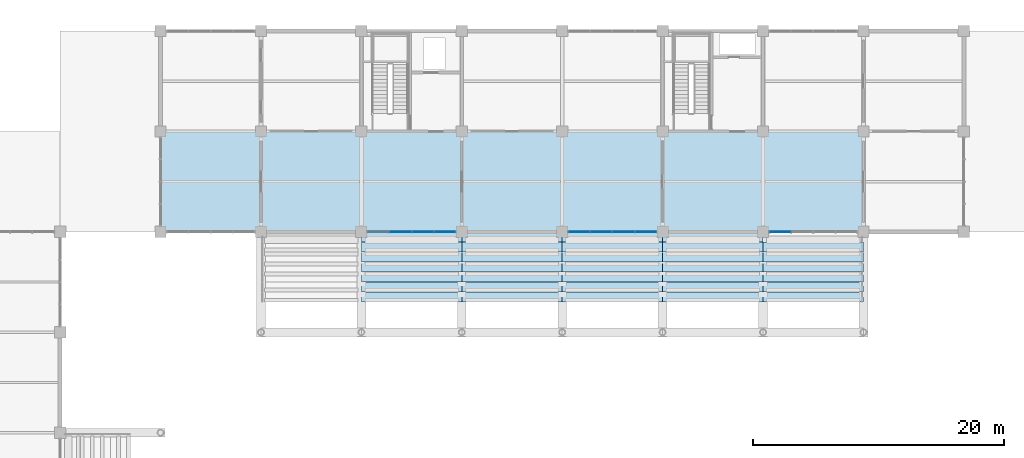
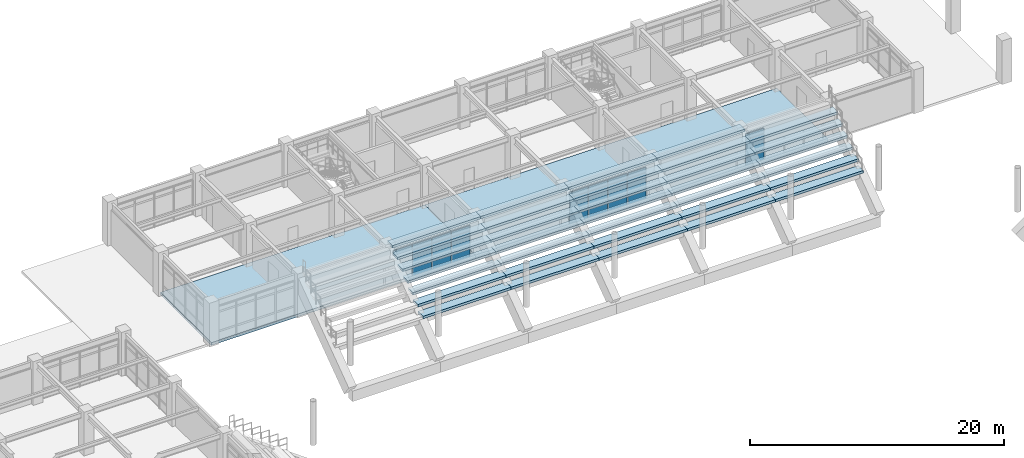
# One storey, part 81 of 118: 36 slabs, 25 plates, 3 elements without a shape of their own.
"""IFC4 building model written with IfcOpenShell, lengths in metres."""

from ifc_helpers import new_model, si_unit, direction, frame, origin, origin_2d, place, context, subcontext, project, spatial, polyline, rectangle, outline, extrude, material, layer, layer_set, type_object, element, aggregate, save


model = new_model("IFC4")

# Units and contexts
model_context = context("Model", 3, precision=1e-05, world=origin(), true_north=direction((0.0, 1.0)))
body_context = subcontext(model_context, "Body", "Model", "MODEL_VIEW")
ifc_project = project(units=[si_unit("LENGTHUNIT", "METRE"), si_unit("AREAUNIT", "SQUARE_METRE"), si_unit("VOLUMEUNIT", "CUBIC_METRE"), si_unit("PLANEANGLEUNIT", "RADIAN"), si_unit("MASSUNIT", "GRAM", prefix="KILO")], contexts=[model_context])

# Site, building, storey
site_placement = place(None, origin())
site = spatial("IfcSite", under=ifc_project, at=site_placement, CompositionType="ELEMENT")
building_placement = place(site_placement, origin())
building = spatial("IfcBuilding", under=site, at=building_placement, Name="Haebicheon Civic Stadium", CompositionType="ELEMENT")
storey_placement = place(building_placement, frame((0.0, 0.0, 14.39990234375)))
storey = spatial("IfcBuildingStorey", under=building, at=storey_placement, Name="L04", CompositionType="ELEMENT", Elevation=14.39990234375)

# Curtain wall, plates
ifc_material_1 = material(Name="Anodised aluminium and laminated glass", Category="aluminium")
ifc_layer_1 = layer(ifc_material_1, 0.179931640625, Name="Anodised aluminium and laminated glass")
ifc_layer_set_1 = layer_set([ifc_layer_1], Name="Anodised aluminium and laminated glass")
curtain_wall_type = type_object("IfcCurtainWallType", Name="CW-7100x3100", PredefinedType="NOTDEFINED", material=ifc_layer_set_1)
curtain_wall_1_placement = place(storey_placement, origin())
curtain_wall_1 = element("IfcCurtainWall", 1, at=curtain_wall_1_placement, inside=storey, type_object=curtain_wall_type, material=ifc_layer_set_1, Name="L04 unitised curtain wall 131", PredefinedType="NOTDEFINED")
ifc_material_2 = material(Name="Double low-e acoustic laminated glass", Category="glass")
ifc_layer_2 = layer(ifc_material_2, 0.035888671875, Name="Double low-e acoustic laminated glass")
ifc_layer_set_2 = layer_set([ifc_layer_2], Name="Double low-e acoustic laminated glass")
plate_type_1 = type_object("IfcPlateType", Name="CWP-GLZ-36", PredefinedType="CURTAIN_PANEL", material=ifc_layer_set_2)
plate_1_placement = place(storey_placement, frame((91.112060546875, 152.0, 0.93505859375), z_axis=(0.0, 0.0, 1.0), x_axis=(1.0, 0.0, 0.0)))
plate_1 = element("IfcPlate", 2, at=plate_1_placement, type_object=plate_type_1, material=ifc_layer_set_2, Name="CW-L04-131 vision panel 2.2", PredefinedType="CURTAIN_PANEL", context=body_context, shape_type="SweptSolid", body=[
    extrude(rectangle(XDim=1.705078125, YDim=0.035888671875, at=origin_2d()), origin(), (0.0, 0.0, 1.0), 1.580078125),
])
plate_2_placement = place(storey_placement, frame((92.887939453125, 152.0, 0.93505859375), z_axis=(0.0, 0.0, 1.0), x_axis=(1.0, 0.0, 0.0)))
plate_2 = element("IfcPlate", 3, at=plate_2_placement, type_object=plate_type_1, material=ifc_layer_set_2, Name="CW-L04-131 vision panel 3.2", PredefinedType="CURTAIN_PANEL", context=body_context, shape_type="SweptSolid", body=[
    extrude(rectangle(XDim=1.705078125, YDim=0.035888671875, at=origin_2d()), origin(), (0.0, 0.0, 1.0), 1.580078125),
])
plate_3_placement = place(storey_placement, frame((94.64501953125, 152.0, 0.93505859375), z_axis=(0.0, 0.0, 1.0), x_axis=(1.0, 0.0, 0.0)))
plate_3 = element("IfcPlate", 4, at=plate_3_placement, type_object=plate_type_1, material=ifc_layer_set_2, Name="CW-L04-131 vision panel 4.2", PredefinedType="CURTAIN_PANEL", context=body_context, shape_type="SweptSolid", body=[
    extrude(rectangle(XDim=1.669921875, YDim=0.035888671875, at=origin_2d()), origin(), (0.0, 0.0, 1.0), 1.580078125),
])

curtain_wall_2_placement = place(storey_placement, origin())
curtain_wall_2 = element("IfcCurtainWall", 5, at=curtain_wall_2_placement, inside=storey, type_object=curtain_wall_type, material=ifc_layer_set_1, Name="L04 unitised curtain wall 134", PredefinedType="NOTDEFINED")
plate_4_placement = place(storey_placement, frame((105.35498046875, 152.0, 0.93505859375), z_axis=(0.0, 0.0, 1.0), x_axis=(1.0, 0.0, 0.0)))
plate_4 = element("IfcPlate", 6, at=plate_4_placement, type_object=plate_type_1, material=ifc_layer_set_2, Name="CW-L04-134 vision panel 1.2", PredefinedType="CURTAIN_PANEL", context=body_context, shape_type="SweptSolid", body=[
    extrude(rectangle(XDim=1.669921875, YDim=0.035888671875, at=origin_2d()), origin(), (0.0, 0.0, 1.0), 1.580078125),
])
plate_5_placement = place(storey_placement, frame((107.112060546875, 152.0, 0.93505859375), z_axis=(0.0, 0.0, 1.0), x_axis=(1.0, 0.0, 0.0)))
plate_5 = element("IfcPlate", 7, at=plate_5_placement, type_object=plate_type_1, material=ifc_layer_set_2, Name="CW-L04-134 vision panel 2.2", PredefinedType="CURTAIN_PANEL", context=body_context, shape_type="SweptSolid", body=[
    extrude(rectangle(XDim=1.705078125, YDim=0.035888671875, at=origin_2d()), origin(), (0.0, 0.0, 1.0), 1.580078125),
])
plate_6_placement = place(storey_placement, frame((108.887939453125, 152.0, 0.93505859375), z_axis=(0.0, 0.0, 1.0), x_axis=(1.0, 0.0, 0.0)))
plate_6 = element("IfcPlate", 8, at=plate_6_placement, type_object=plate_type_1, material=ifc_layer_set_2, Name="CW-L04-134 vision panel 3.2", PredefinedType="CURTAIN_PANEL", context=body_context, shape_type="SweptSolid", body=[
    extrude(rectangle(XDim=1.705078125, YDim=0.035888671875, at=origin_2d()), origin(), (0.0, 0.0, 1.0), 1.580078125),
])
plate_7_placement = place(storey_placement, frame((110.64501953125, 152.0, 0.93505859375), z_axis=(0.0, 0.0, 1.0), x_axis=(1.0, 0.0, 0.0)))
plate_7 = element("IfcPlate", 9, at=plate_7_placement, type_object=plate_type_1, material=ifc_layer_set_2, Name="CW-L04-134 vision panel 4.2", PredefinedType="CURTAIN_PANEL", context=body_context, shape_type="SweptSolid", body=[
    extrude(rectangle(XDim=1.669921875, YDim=0.035888671875, at=origin_2d()), origin(), (0.0, 0.0, 1.0), 1.580078125),
])

# Curtain wall, plate
curtain_wall_3_placement = place(storey_placement, origin())
curtain_wall_3 = element("IfcCurtainWall", 10, at=curtain_wall_3_placement, inside=storey, type_object=curtain_wall_type, material=ifc_layer_set_1, Name="L04 unitised curtain wall 137", PredefinedType="NOTDEFINED")
plate_8_placement = place(storey_placement, frame((121.35498046875, 152.0, 0.93505859375), z_axis=(0.0, 0.0, 1.0), x_axis=(1.0, 0.0, 0.0)))
plate_8 = element("IfcPlate", 11, at=plate_8_placement, type_object=plate_type_1, material=ifc_layer_set_2, Name="CW-L04-137 vision panel 1.2", PredefinedType="CURTAIN_PANEL", context=body_context, shape_type="SweptSolid", body=[
    extrude(rectangle(XDim=1.669921875, YDim=0.035888671875, at=origin_2d()), origin(), (0.0, 0.0, 1.0), 1.580078125),
])

# Plate
ifc_material_3 = material(Name="Anodised aluminium 6063-T6", Category="aluminium")
ifc_layer_3 = layer(ifc_material_3, 0.053955078125, Name="Anodised aluminium 6063-T6")
ifc_layer_set_3 = layer_set([ifc_layer_3], Name="Anodised aluminium 6063-T6")
plate_type_2 = type_object("IfcPlateType", Name="CWP-SPD-54", PredefinedType="CURTAIN_PANEL", material=ifc_layer_set_3)
plate_9_placement = place(storey_placement, frame((89.35498046875, 152.0, 2.585205078125), z_axis=(0.0, 0.0, 1.0), x_axis=(1.0, 0.0, 0.0)))
plate_9 = element("IfcPlate", 12, at=plate_9_placement, type_object=plate_type_2, material=ifc_layer_set_3, Name="CW-L04-131 spandrel panel 1.3", PredefinedType="CURTAIN_PANEL", context=body_context, shape_type="SweptSolid", body=[
    extrude(rectangle(XDim=1.669921875, YDim=0.053955078125, at=origin_2d()), origin(), (0.0, 0.0, 1.0), 0.47998046875),
])

plate_10_placement = place(storey_placement, frame((91.112060546875, 152.0, 0.03515625), z_axis=(0.0, 0.0, 1.0), x_axis=(1.0, 0.0, 0.0)))
plate_10 = element("IfcPlate", 13, at=plate_10_placement, type_object=plate_type_2, material=ifc_layer_set_3, Name="CW-L04-131 spandrel panel 2.1", PredefinedType="CURTAIN_PANEL", context=body_context, shape_type="SweptSolid", body=[
    extrude(rectangle(XDim=1.705078125, YDim=0.053955078125, at=origin_2d()), origin(), (0.0, 0.0, 1.0), 0.830078125),
])

plate_11_placement = place(storey_placement, frame((91.112060546875, 152.0, 2.585205078125), z_axis=(0.0, 0.0, 1.0), x_axis=(1.0, 0.0, 0.0)))
plate_11 = element("IfcPlate", 14, at=plate_11_placement, type_object=plate_type_2, material=ifc_layer_set_3, Name="CW-L04-131 spandrel panel 2.3", PredefinedType="CURTAIN_PANEL", context=body_context, shape_type="SweptSolid", body=[
    extrude(rectangle(XDim=1.705078125, YDim=0.053955078125, at=origin_2d()), origin(), (0.0, 0.0, 1.0), 0.47998046875),
])

plate_12_placement = place(storey_placement, frame((92.887939453125, 152.0, 0.03515625), z_axis=(0.0, 0.0, 1.0), x_axis=(1.0, 0.0, 0.0)))
plate_12 = element("IfcPlate", 15, at=plate_12_placement, type_object=plate_type_2, material=ifc_layer_set_3, Name="CW-L04-131 spandrel panel 3.1", PredefinedType="CURTAIN_PANEL", context=body_context, shape_type="SweptSolid", body=[
    extrude(rectangle(XDim=1.705078125, YDim=0.053955078125, at=origin_2d()), origin(), (0.0, 0.0, 1.0), 0.830078125),
])

plate_13_placement = place(storey_placement, frame((92.887939453125, 152.0, 2.585205078125), z_axis=(0.0, 0.0, 1.0), x_axis=(1.0, 0.0, 0.0)))
plate_13 = element("IfcPlate", 16, at=plate_13_placement, type_object=plate_type_2, material=ifc_layer_set_3, Name="CW-L04-131 spandrel panel 3.3", PredefinedType="CURTAIN_PANEL", context=body_context, shape_type="SweptSolid", body=[
    extrude(rectangle(XDim=1.705078125, YDim=0.053955078125, at=origin_2d()), origin(), (0.0, 0.0, 1.0), 0.47998046875),
])

plate_14_placement = place(storey_placement, frame((94.64501953125, 152.0, 0.03515625), z_axis=(0.0, 0.0, 1.0), x_axis=(1.0, 0.0, 0.0)))
plate_14 = element("IfcPlate", 17, at=plate_14_placement, type_object=plate_type_2, material=ifc_layer_set_3, Name="CW-L04-131 spandrel panel 4.1", PredefinedType="CURTAIN_PANEL", context=body_context, shape_type="SweptSolid", body=[
    extrude(rectangle(XDim=1.669921875, YDim=0.053955078125, at=origin_2d()), origin(), (0.0, 0.0, 1.0), 0.830078125),
])

plate_15_placement = place(storey_placement, frame((94.64501953125, 152.0, 2.585205078125), z_axis=(0.0, 0.0, 1.0), x_axis=(1.0, 0.0, 0.0)))
plate_15 = element("IfcPlate", 18, at=plate_15_placement, type_object=plate_type_2, material=ifc_layer_set_3, Name="CW-L04-131 spandrel panel 4.3", PredefinedType="CURTAIN_PANEL", context=body_context, shape_type="SweptSolid", body=[
    extrude(rectangle(XDim=1.669921875, YDim=0.053955078125, at=origin_2d()), origin(), (0.0, 0.0, 1.0), 0.47998046875),
])

aggregate(curtain_wall_1, [plate_9, plate_10, plate_1, plate_11, plate_12, plate_2, plate_13, plate_14, plate_3, plate_15])

plate_16_placement = place(storey_placement, frame((105.35498046875, 152.0, 0.03515625), z_axis=(0.0, 0.0, 1.0), x_axis=(1.0, 0.0, 0.0)))
plate_16 = element("IfcPlate", 19, at=plate_16_placement, type_object=plate_type_2, material=ifc_layer_set_3, Name="CW-L04-134 spandrel panel 1.1", PredefinedType="CURTAIN_PANEL", context=body_context, shape_type="SweptSolid", body=[
    extrude(rectangle(XDim=1.669921875, YDim=0.053955078125, at=origin_2d()), origin(), (0.0, 0.0, 1.0), 0.830078125),
])

plate_17_placement = place(storey_placement, frame((105.35498046875, 152.0, 2.585205078125), z_axis=(0.0, 0.0, 1.0), x_axis=(1.0, 0.0, 0.0)))
plate_17 = element("IfcPlate", 20, at=plate_17_placement, type_object=plate_type_2, material=ifc_layer_set_3, Name="CW-L04-134 spandrel panel 1.3", PredefinedType="CURTAIN_PANEL", context=body_context, shape_type="SweptSolid", body=[
    extrude(rectangle(XDim=1.669921875, YDim=0.053955078125, at=origin_2d()), origin(), (0.0, 0.0, 1.0), 0.47998046875),
])

plate_18_placement = place(storey_placement, frame((107.112060546875, 152.0, 0.03515625), z_axis=(0.0, 0.0, 1.0), x_axis=(1.0, 0.0, 0.0)))
plate_18 = element("IfcPlate", 21, at=plate_18_placement, type_object=plate_type_2, material=ifc_layer_set_3, Name="CW-L04-134 spandrel panel 2.1", PredefinedType="CURTAIN_PANEL", context=body_context, shape_type="SweptSolid", body=[
    extrude(rectangle(XDim=1.705078125, YDim=0.053955078125, at=origin_2d()), origin(), (0.0, 0.0, 1.0), 0.830078125),
])

plate_19_placement = place(storey_placement, frame((107.112060546875, 152.0, 2.585205078125), z_axis=(0.0, 0.0, 1.0), x_axis=(1.0, 0.0, 0.0)))
plate_19 = element("IfcPlate", 22, at=plate_19_placement, type_object=plate_type_2, material=ifc_layer_set_3, Name="CW-L04-134 spandrel panel 2.3", PredefinedType="CURTAIN_PANEL", context=body_context, shape_type="SweptSolid", body=[
    extrude(rectangle(XDim=1.705078125, YDim=0.053955078125, at=origin_2d()), origin(), (0.0, 0.0, 1.0), 0.47998046875),
])

plate_20_placement = place(storey_placement, frame((108.887939453125, 152.0, 0.03515625), z_axis=(0.0, 0.0, 1.0), x_axis=(1.0, 0.0, 0.0)))
plate_20 = element("IfcPlate", 23, at=plate_20_placement, type_object=plate_type_2, material=ifc_layer_set_3, Name="CW-L04-134 spandrel panel 3.1", PredefinedType="CURTAIN_PANEL", context=body_context, shape_type="SweptSolid", body=[
    extrude(rectangle(XDim=1.705078125, YDim=0.053955078125, at=origin_2d()), origin(), (0.0, 0.0, 1.0), 0.830078125),
])

plate_21_placement = place(storey_placement, frame((108.887939453125, 152.0, 2.585205078125), z_axis=(0.0, 0.0, 1.0), x_axis=(1.0, 0.0, 0.0)))
plate_21 = element("IfcPlate", 24, at=plate_21_placement, type_object=plate_type_2, material=ifc_layer_set_3, Name="CW-L04-134 spandrel panel 3.3", PredefinedType="CURTAIN_PANEL", context=body_context, shape_type="SweptSolid", body=[
    extrude(rectangle(XDim=1.705078125, YDim=0.053955078125, at=origin_2d()), origin(), (0.0, 0.0, 1.0), 0.47998046875),
])

plate_22_placement = place(storey_placement, frame((110.64501953125, 152.0, 0.03515625), z_axis=(0.0, 0.0, 1.0), x_axis=(1.0, 0.0, 0.0)))
plate_22 = element("IfcPlate", 25, at=plate_22_placement, type_object=plate_type_2, material=ifc_layer_set_3, Name="CW-L04-134 spandrel panel 4.1", PredefinedType="CURTAIN_PANEL", context=body_context, shape_type="SweptSolid", body=[
    extrude(rectangle(XDim=1.669921875, YDim=0.053955078125, at=origin_2d()), origin(), (0.0, 0.0, 1.0), 0.830078125),
])

plate_23_placement = place(storey_placement, frame((110.64501953125, 152.0, 2.585205078125), z_axis=(0.0, 0.0, 1.0), x_axis=(1.0, 0.0, 0.0)))
plate_23 = element("IfcPlate", 26, at=plate_23_placement, type_object=plate_type_2, material=ifc_layer_set_3, Name="CW-L04-134 spandrel panel 4.3", PredefinedType="CURTAIN_PANEL", context=body_context, shape_type="SweptSolid", body=[
    extrude(rectangle(XDim=1.669921875, YDim=0.053955078125, at=origin_2d()), origin(), (0.0, 0.0, 1.0), 0.47998046875),
])

aggregate(curtain_wall_2, [plate_16, plate_4, plate_17, plate_18, plate_5, plate_19, plate_20, plate_6, plate_21, plate_22, plate_7, plate_23])

plate_24_placement = place(storey_placement, frame((121.35498046875, 152.0, 0.03515625), z_axis=(0.0, 0.0, 1.0), x_axis=(1.0, 0.0, 0.0)))
plate_24 = element("IfcPlate", 27, at=plate_24_placement, type_object=plate_type_2, material=ifc_layer_set_3, Name="CW-L04-137 spandrel panel 1.1", PredefinedType="CURTAIN_PANEL", context=body_context, shape_type="SweptSolid", body=[
    extrude(rectangle(XDim=1.669921875, YDim=0.053955078125, at=origin_2d()), origin(), (0.0, 0.0, 1.0), 0.830078125),
])

plate_25_placement = place(storey_placement, frame((121.35498046875, 152.0, 2.585205078125), z_axis=(0.0, 0.0, 1.0), x_axis=(1.0, 0.0, 0.0)))
plate_25 = element("IfcPlate", 28, at=plate_25_placement, type_object=plate_type_2, material=ifc_layer_set_3, Name="CW-L04-137 spandrel panel 1.3", PredefinedType="CURTAIN_PANEL", context=body_context, shape_type="SweptSolid", body=[
    extrude(rectangle(XDim=1.669921875, YDim=0.053955078125, at=origin_2d()), origin(), (0.0, 0.0, 1.0), 0.47998046875),
])

aggregate(curtain_wall_3, [plate_24, plate_8, plate_25])

# Slabs
ifc_material_4 = material(Name="Concrete C40/50", Category="concrete")
ifc_layer_4 = layer(ifc_material_4, 0.260009765625, Name="Concrete C40/50")
ifc_layer_set_4 = layer_set([ifc_layer_4], Name="Concrete C40/50")
slab_type_1 = type_object("IfcSlabType", Name="SLB-FLR-260", PredefinedType="FLOOR", material=ifc_layer_set_4)
slab_1_placement = place(storey_placement, frame((0.0, 0.0, -0.260009765625)))
element("IfcSlab", 29, at=slab_1_placement, inside=storey, type_object=slab_type_1, material=ifc_layer_set_4, Name="L04 V2 structural slab 2.1", PredefinedType="FLOOR", context=body_context, shape_type="SweptSolid", body=[
    extrude(outline(polyline([(72.0, 152.0), (72.0, 160.0), (80.0, 160.0), (88.0, 160.0), (96.0, 160.0), (96.0, 152.0), (88.0, 152.0), (80.0, 152.0), (72.0, 152.0)])), origin(), (0.0, 0.0, 1.0), 0.260009765625),
])
slab_2_placement = place(storey_placement, frame((0.0, 0.0, -0.260009765625)))
element("IfcSlab", 30, at=slab_2_placement, inside=storey, type_object=slab_type_1, material=ifc_layer_set_4, Name="L04 V2 structural slab 5.1", PredefinedType="FLOOR", context=body_context, shape_type="SweptSolid", body=[
    extrude(outline(polyline([(96.0, 160.0), (104.0, 160.0), (112.0, 160.0), (120.0, 160.0), (128.0, 160.0), (128.0, 152.0), (120.0, 152.0), (112.0, 152.0), (104.0, 152.0), (96.0, 152.0), (96.0, 160.0)])), origin(), (0.0, 0.0, 1.0), 0.260009765625),
])
ifc_material_5 = material(Name="Precast concrete C40/50", Category="concrete")
ifc_layer_5 = layer(ifc_material_5, 0.239990234375, Name="Precast concrete C40/50")
ifc_layer_set_5 = layer_set([ifc_layer_5], Name="Precast concrete C40/50")
slab_type_2 = type_object("IfcSlabType", Name="SLB-TIER-240", PredefinedType="USERDEFINED", material=ifc_layer_set_5)
slab_3_placement = place(storey_placement, frame((0.0, 0.0, 0.093017578125)))
element("IfcSlab", 31, at=slab_3_placement, inside=storey, type_object=slab_type_2, material=ifc_layer_set_5, Name="TIER-N-U precast seating tier bay 2 row-band 4", ObjectType="SEATING TIER", PredefinedType="USERDEFINED", context=body_context, shape_type="SweptSolid", body=[
    extrude(outline(polyline([(88.0, 146.39990234375), (96.0, 146.39990234375), (96.0, 147.199951171875), (88.0, 147.199951171875), (88.0, 146.39990234375)])), origin(), (0.0, 0.0, 1.0), 0.239990234375),
])
slab_4_placement = place(storey_placement, frame((0.0, 0.0, 0.738037109375)))
element("IfcSlab", 32, at=slab_4_placement, inside=storey, type_object=slab_type_2, material=ifc_layer_set_5, Name="TIER-N-U precast seating tier bay 2 row-band 5", ObjectType="SEATING TIER", PredefinedType="USERDEFINED", context=body_context, shape_type="SweptSolid", body=[
    extrude(outline(polyline([(88.0, 147.199951171875), (96.0, 147.199951171875), (96.0, 148.0), (88.0, 148.0), (88.0, 147.199951171875)])), origin(), (0.0, 0.0, 1.0), 0.239990234375),
])
slab_5_placement = place(storey_placement, frame((0.0, 0.0, 1.382080078125)))
element("IfcSlab", 33, at=slab_5_placement, inside=storey, type_object=slab_type_2, material=ifc_layer_set_5, Name="TIER-N-U precast seating tier bay 2 row-band 6", ObjectType="SEATING TIER", PredefinedType="USERDEFINED", context=body_context, shape_type="SweptSolid", body=[
    extrude(outline(polyline([(88.0, 148.0), (96.0, 148.0), (96.0, 148.800048828125), (88.0, 148.800048828125), (88.0, 148.0)])), origin(), (0.0, 0.0, 1.0), 0.239990234375),
])
slab_6_placement = place(storey_placement, frame((0.0, 0.0, 2.027099609375)))
element("IfcSlab", 34, at=slab_6_placement, inside=storey, type_object=slab_type_2, material=ifc_layer_set_5, Name="TIER-N-U precast seating tier bay 2 row-band 7", ObjectType="SEATING TIER", PredefinedType="USERDEFINED", context=body_context, shape_type="SweptSolid", body=[
    extrude(outline(polyline([(88.0, 148.800048828125), (96.0, 148.800048828125), (96.0, 149.60009765625), (88.0, 149.60009765625), (88.0, 148.800048828125)])), origin(), (0.0, 0.0, 1.0), 0.239990234375),
])
slab_7_placement = place(storey_placement, frame((0.0, 0.0, 2.671142578125)))
element("IfcSlab", 35, at=slab_7_placement, inside=storey, type_object=slab_type_2, material=ifc_layer_set_5, Name="TIER-N-U precast seating tier bay 2 row-band 8", ObjectType="SEATING TIER", PredefinedType="USERDEFINED", context=body_context, shape_type="SweptSolid", body=[
    extrude(outline(polyline([(88.0, 149.60009765625), (96.0, 149.60009765625), (96.0, 150.39990234375), (88.0, 150.39990234375), (88.0, 149.60009765625)])), origin(), (0.0, 0.0, 1.0), 0.239990234375),
])
slab_8_placement = place(storey_placement, frame((0.0, 0.0, 3.316162109375)))
element("IfcSlab", 36, at=slab_8_placement, inside=storey, type_object=slab_type_2, material=ifc_layer_set_5, Name="TIER-N-U precast seating tier bay 2 row-band 9", ObjectType="SEATING TIER", PredefinedType="USERDEFINED", context=body_context, shape_type="SweptSolid", body=[
    extrude(outline(polyline([(88.0, 150.39990234375), (96.0, 150.39990234375), (96.0, 151.199951171875), (88.0, 151.199951171875), (88.0, 150.39990234375)])), origin(), (0.0, 0.0, 1.0), 0.239990234375),
])
slab_9_placement = place(storey_placement, frame((0.0, 0.0, 3.960205078125)))
element("IfcSlab", 37, at=slab_9_placement, inside=storey, type_object=slab_type_2, material=ifc_layer_set_5, Name="TIER-N-U precast seating tier bay 2 row-band 10", ObjectType="SEATING TIER", PredefinedType="USERDEFINED", context=body_context, shape_type="SweptSolid", body=[
    extrude(outline(polyline([(88.0, 151.199951171875), (96.0, 151.199951171875), (96.0, 152.0), (88.0, 152.0), (88.0, 151.199951171875)])), origin(), (0.0, 0.0, 1.0), 0.239990234375),
])
slab_10_placement = place(storey_placement, frame((0.0, 0.0, 0.093017578125)))
element("IfcSlab", 38, at=slab_10_placement, inside=storey, type_object=slab_type_2, material=ifc_layer_set_5, Name="TIER-N-U precast seating tier bay 3 row-band 4", ObjectType="SEATING TIER", PredefinedType="USERDEFINED", context=body_context, shape_type="SweptSolid", body=[
    extrude(outline(polyline([(96.0, 146.39990234375), (104.0, 146.39990234375), (104.0, 147.199951171875), (96.0, 147.199951171875), (96.0, 146.39990234375)])), origin(), (0.0, 0.0, 1.0), 0.239990234375),
])
slab_11_placement = place(storey_placement, frame((0.0, 0.0, 0.738037109375)))
element("IfcSlab", 39, at=slab_11_placement, inside=storey, type_object=slab_type_2, material=ifc_layer_set_5, Name="TIER-N-U precast seating tier bay 3 row-band 5", ObjectType="SEATING TIER", PredefinedType="USERDEFINED", context=body_context, shape_type="SweptSolid", body=[
    extrude(outline(polyline([(96.0, 147.199951171875), (104.0, 147.199951171875), (104.0, 148.0), (96.0, 148.0), (96.0, 147.199951171875)])), origin(), (0.0, 0.0, 1.0), 0.239990234375),
])
slab_12_placement = place(storey_placement, frame((0.0, 0.0, 1.382080078125)))
element("IfcSlab", 40, at=slab_12_placement, inside=storey, type_object=slab_type_2, material=ifc_layer_set_5, Name="TIER-N-U precast seating tier bay 3 row-band 6", ObjectType="SEATING TIER", PredefinedType="USERDEFINED", context=body_context, shape_type="SweptSolid", body=[
    extrude(outline(polyline([(96.0, 148.0), (104.0, 148.0), (104.0, 148.800048828125), (96.0, 148.800048828125), (96.0, 148.0)])), origin(), (0.0, 0.0, 1.0), 0.239990234375),
])
slab_13_placement = place(storey_placement, frame((0.0, 0.0, 2.027099609375)))
element("IfcSlab", 41, at=slab_13_placement, inside=storey, type_object=slab_type_2, material=ifc_layer_set_5, Name="TIER-N-U precast seating tier bay 3 row-band 7", ObjectType="SEATING TIER", PredefinedType="USERDEFINED", context=body_context, shape_type="SweptSolid", body=[
    extrude(outline(polyline([(96.0, 148.800048828125), (104.0, 148.800048828125), (104.0, 149.60009765625), (96.0, 149.60009765625), (96.0, 148.800048828125)])), origin(), (0.0, 0.0, 1.0), 0.239990234375),
])
slab_14_placement = place(storey_placement, frame((0.0, 0.0, 2.671142578125)))
element("IfcSlab", 42, at=slab_14_placement, inside=storey, type_object=slab_type_2, material=ifc_layer_set_5, Name="TIER-N-U precast seating tier bay 3 row-band 8", ObjectType="SEATING TIER", PredefinedType="USERDEFINED", context=body_context, shape_type="SweptSolid", body=[
    extrude(outline(polyline([(96.0, 149.60009765625), (104.0, 149.60009765625), (104.0, 150.39990234375), (96.0, 150.39990234375), (96.0, 149.60009765625)])), origin(), (0.0, 0.0, 1.0), 0.239990234375),
])
slab_15_placement = place(storey_placement, frame((0.0, 0.0, 3.316162109375)))
element("IfcSlab", 43, at=slab_15_placement, inside=storey, type_object=slab_type_2, material=ifc_layer_set_5, Name="TIER-N-U precast seating tier bay 3 row-band 9", ObjectType="SEATING TIER", PredefinedType="USERDEFINED", context=body_context, shape_type="SweptSolid", body=[
    extrude(outline(polyline([(96.0, 150.39990234375), (104.0, 150.39990234375), (104.0, 151.199951171875), (96.0, 151.199951171875), (96.0, 150.39990234375)])), origin(), (0.0, 0.0, 1.0), 0.239990234375),
])
slab_16_placement = place(storey_placement, frame((0.0, 0.0, 3.960205078125)))
element("IfcSlab", 44, at=slab_16_placement, inside=storey, type_object=slab_type_2, material=ifc_layer_set_5, Name="TIER-N-U precast seating tier bay 3 row-band 10", ObjectType="SEATING TIER", PredefinedType="USERDEFINED", context=body_context, shape_type="SweptSolid", body=[
    extrude(outline(polyline([(96.0, 151.199951171875), (104.0, 151.199951171875), (104.0, 152.0), (96.0, 152.0), (96.0, 151.199951171875)])), origin(), (0.0, 0.0, 1.0), 0.239990234375),
])
slab_17_placement = place(storey_placement, frame((0.0, 0.0, 0.093017578125)))
element("IfcSlab", 45, at=slab_17_placement, inside=storey, type_object=slab_type_2, material=ifc_layer_set_5, Name="TIER-N-U precast seating tier bay 4 row-band 4", ObjectType="SEATING TIER", PredefinedType="USERDEFINED", context=body_context, shape_type="SweptSolid", body=[
    extrude(outline(polyline([(104.0, 146.39990234375), (112.0, 146.39990234375), (112.0, 147.199951171875), (104.0, 147.199951171875), (104.0, 146.39990234375)])), origin(), (0.0, 0.0, 1.0), 0.239990234375),
])
slab_18_placement = place(storey_placement, frame((0.0, 0.0, 0.738037109375)))
element("IfcSlab", 46, at=slab_18_placement, inside=storey, type_object=slab_type_2, material=ifc_layer_set_5, Name="TIER-N-U precast seating tier bay 4 row-band 5", ObjectType="SEATING TIER", PredefinedType="USERDEFINED", context=body_context, shape_type="SweptSolid", body=[
    extrude(outline(polyline([(104.0, 147.199951171875), (112.0, 147.199951171875), (112.0, 148.0), (104.0, 148.0), (104.0, 147.199951171875)])), origin(), (0.0, 0.0, 1.0), 0.239990234375),
])
slab_19_placement = place(storey_placement, frame((0.0, 0.0, 1.382080078125)))
element("IfcSlab", 47, at=slab_19_placement, inside=storey, type_object=slab_type_2, material=ifc_layer_set_5, Name="TIER-N-U precast seating tier bay 4 row-band 6", ObjectType="SEATING TIER", PredefinedType="USERDEFINED", context=body_context, shape_type="SweptSolid", body=[
    extrude(outline(polyline([(104.0, 148.0), (112.0, 148.0), (112.0, 148.800048828125), (104.0, 148.800048828125), (104.0, 148.0)])), origin(), (0.0, 0.0, 1.0), 0.239990234375),
])
slab_20_placement = place(storey_placement, frame((0.0, 0.0, 2.027099609375)))
element("IfcSlab", 48, at=slab_20_placement, inside=storey, type_object=slab_type_2, material=ifc_layer_set_5, Name="TIER-N-U precast seating tier bay 4 row-band 7", ObjectType="SEATING TIER", PredefinedType="USERDEFINED", context=body_context, shape_type="SweptSolid", body=[
    extrude(outline(polyline([(104.0, 148.800048828125), (112.0, 148.800048828125), (112.0, 149.60009765625), (104.0, 149.60009765625), (104.0, 148.800048828125)])), origin(), (0.0, 0.0, 1.0), 0.239990234375),
])
slab_21_placement = place(storey_placement, frame((0.0, 0.0, 2.671142578125)))
element("IfcSlab", 49, at=slab_21_placement, inside=storey, type_object=slab_type_2, material=ifc_layer_set_5, Name="TIER-N-U precast seating tier bay 4 row-band 8", ObjectType="SEATING TIER", PredefinedType="USERDEFINED", context=body_context, shape_type="SweptSolid", body=[
    extrude(outline(polyline([(104.0, 149.60009765625), (112.0, 149.60009765625), (112.0, 150.39990234375), (104.0, 150.39990234375), (104.0, 149.60009765625)])), origin(), (0.0, 0.0, 1.0), 0.239990234375),
])
slab_22_placement = place(storey_placement, frame((0.0, 0.0, 3.316162109375)))
element("IfcSlab", 50, at=slab_22_placement, inside=storey, type_object=slab_type_2, material=ifc_layer_set_5, Name="TIER-N-U precast seating tier bay 4 row-band 9", ObjectType="SEATING TIER", PredefinedType="USERDEFINED", context=body_context, shape_type="SweptSolid", body=[
    extrude(outline(polyline([(104.0, 150.39990234375), (112.0, 150.39990234375), (112.0, 151.199951171875), (104.0, 151.199951171875), (104.0, 150.39990234375)])), origin(), (0.0, 0.0, 1.0), 0.239990234375),
])
slab_23_placement = place(storey_placement, frame((0.0, 0.0, 3.960205078125)))
element("IfcSlab", 51, at=slab_23_placement, inside=storey, type_object=slab_type_2, material=ifc_layer_set_5, Name="TIER-N-U precast seating tier bay 4 row-band 10", ObjectType="SEATING TIER", PredefinedType="USERDEFINED", context=body_context, shape_type="SweptSolid", body=[
    extrude(outline(polyline([(104.0, 151.199951171875), (112.0, 151.199951171875), (112.0, 152.0), (104.0, 152.0), (104.0, 151.199951171875)])), origin(), (0.0, 0.0, 1.0), 0.239990234375),
])
slab_24_placement = place(storey_placement, frame((0.0, 0.0, 0.093017578125)))
element("IfcSlab", 52, at=slab_24_placement, inside=storey, type_object=slab_type_2, material=ifc_layer_set_5, Name="TIER-N-U precast seating tier bay 5 row-band 4", ObjectType="SEATING TIER", PredefinedType="USERDEFINED", context=body_context, shape_type="SweptSolid", body=[
    extrude(outline(polyline([(112.0, 146.39990234375), (120.0, 146.39990234375), (120.0, 147.199951171875), (112.0, 147.199951171875), (112.0, 146.39990234375)])), origin(), (0.0, 0.0, 1.0), 0.239990234375),
])
slab_25_placement = place(storey_placement, frame((0.0, 0.0, 0.738037109375)))
element("IfcSlab", 53, at=slab_25_placement, inside=storey, type_object=slab_type_2, material=ifc_layer_set_5, Name="TIER-N-U precast seating tier bay 5 row-band 5", ObjectType="SEATING TIER", PredefinedType="USERDEFINED", context=body_context, shape_type="SweptSolid", body=[
    extrude(outline(polyline([(112.0, 147.199951171875), (120.0, 147.199951171875), (120.0, 148.0), (112.0, 148.0), (112.0, 147.199951171875)])), origin(), (0.0, 0.0, 1.0), 0.239990234375),
])
slab_26_placement = place(storey_placement, frame((0.0, 0.0, 1.382080078125)))
element("IfcSlab", 54, at=slab_26_placement, inside=storey, type_object=slab_type_2, material=ifc_layer_set_5, Name="TIER-N-U precast seating tier bay 5 row-band 6", ObjectType="SEATING TIER", PredefinedType="USERDEFINED", context=body_context, shape_type="SweptSolid", body=[
    extrude(outline(polyline([(112.0, 148.0), (120.0, 148.0), (120.0, 148.800048828125), (112.0, 148.800048828125), (112.0, 148.0)])), origin(), (0.0, 0.0, 1.0), 0.239990234375),
])
slab_27_placement = place(storey_placement, frame((0.0, 0.0, 2.027099609375)))
element("IfcSlab", 55, at=slab_27_placement, inside=storey, type_object=slab_type_2, material=ifc_layer_set_5, Name="TIER-N-U precast seating tier bay 5 row-band 7", ObjectType="SEATING TIER", PredefinedType="USERDEFINED", context=body_context, shape_type="SweptSolid", body=[
    extrude(outline(polyline([(112.0, 148.800048828125), (120.0, 148.800048828125), (120.0, 149.60009765625), (112.0, 149.60009765625), (112.0, 148.800048828125)])), origin(), (0.0, 0.0, 1.0), 0.239990234375),
])
slab_28_placement = place(storey_placement, frame((0.0, 0.0, 2.671142578125)))
element("IfcSlab", 56, at=slab_28_placement, inside=storey, type_object=slab_type_2, material=ifc_layer_set_5, Name="TIER-N-U precast seating tier bay 5 row-band 8", ObjectType="SEATING TIER", PredefinedType="USERDEFINED", context=body_context, shape_type="SweptSolid", body=[
    extrude(outline(polyline([(112.0, 149.60009765625), (120.0, 149.60009765625), (120.0, 150.39990234375), (112.0, 150.39990234375), (112.0, 149.60009765625)])), origin(), (0.0, 0.0, 1.0), 0.239990234375),
])
slab_29_placement = place(storey_placement, frame((0.0, 0.0, 3.316162109375)))
element("IfcSlab", 57, at=slab_29_placement, inside=storey, type_object=slab_type_2, material=ifc_layer_set_5, Name="TIER-N-U precast seating tier bay 5 row-band 9", ObjectType="SEATING TIER", PredefinedType="USERDEFINED", context=body_context, shape_type="SweptSolid", body=[
    extrude(outline(polyline([(112.0, 150.39990234375), (120.0, 150.39990234375), (120.0, 151.199951171875), (112.0, 151.199951171875), (112.0, 150.39990234375)])), origin(), (0.0, 0.0, 1.0), 0.239990234375),
])
slab_30_placement = place(storey_placement, frame((0.0, 0.0, 3.960205078125)))
element("IfcSlab", 58, at=slab_30_placement, inside=storey, type_object=slab_type_2, material=ifc_layer_set_5, Name="TIER-N-U precast seating tier bay 5 row-band 10", ObjectType="SEATING TIER", PredefinedType="USERDEFINED", context=body_context, shape_type="SweptSolid", body=[
    extrude(outline(polyline([(112.0, 151.199951171875), (120.0, 151.199951171875), (120.0, 152.0), (112.0, 152.0), (112.0, 151.199951171875)])), origin(), (0.0, 0.0, 1.0), 0.239990234375),
])
slab_31_placement = place(storey_placement, frame((0.0, 0.0, 0.093017578125)))
element("IfcSlab", 59, at=slab_31_placement, inside=storey, type_object=slab_type_2, material=ifc_layer_set_5, Name="TIER-N-U precast seating tier bay 6 row-band 4", ObjectType="SEATING TIER", PredefinedType="USERDEFINED", context=body_context, shape_type="SweptSolid", body=[
    extrude(outline(polyline([(120.0, 146.39990234375), (128.0, 146.39990234375), (128.0, 147.199951171875), (120.0, 147.199951171875), (120.0, 146.39990234375)])), origin(), (0.0, 0.0, 1.0), 0.239990234375),
])
slab_32_placement = place(storey_placement, frame((0.0, 0.0, 0.738037109375)))
element("IfcSlab", 60, at=slab_32_placement, inside=storey, type_object=slab_type_2, material=ifc_layer_set_5, Name="TIER-N-U precast seating tier bay 6 row-band 5", ObjectType="SEATING TIER", PredefinedType="USERDEFINED", context=body_context, shape_type="SweptSolid", body=[
    extrude(outline(polyline([(120.0, 147.199951171875), (128.0, 147.199951171875), (128.0, 148.0), (120.0, 148.0), (120.0, 147.199951171875)])), origin(), (0.0, 0.0, 1.0), 0.239990234375),
])
slab_33_placement = place(storey_placement, frame((0.0, 0.0, 1.382080078125)))
element("IfcSlab", 61, at=slab_33_placement, inside=storey, type_object=slab_type_2, material=ifc_layer_set_5, Name="TIER-N-U precast seating tier bay 6 row-band 6", ObjectType="SEATING TIER", PredefinedType="USERDEFINED", context=body_context, shape_type="SweptSolid", body=[
    extrude(outline(polyline([(120.0, 148.0), (128.0, 148.0), (128.0, 148.800048828125), (120.0, 148.800048828125), (120.0, 148.0)])), origin(), (0.0, 0.0, 1.0), 0.239990234375),
])
slab_34_placement = place(storey_placement, frame((0.0, 0.0, 2.027099609375)))
element("IfcSlab", 62, at=slab_34_placement, inside=storey, type_object=slab_type_2, material=ifc_layer_set_5, Name="TIER-N-U precast seating tier bay 6 row-band 7", ObjectType="SEATING TIER", PredefinedType="USERDEFINED", context=body_context, shape_type="SweptSolid", body=[
    extrude(outline(polyline([(120.0, 148.800048828125), (128.0, 148.800048828125), (128.0, 149.60009765625), (120.0, 149.60009765625), (120.0, 148.800048828125)])), origin(), (0.0, 0.0, 1.0), 0.239990234375),
])
slab_35_placement = place(storey_placement, frame((0.0, 0.0, 2.671142578125)))
element("IfcSlab", 63, at=slab_35_placement, inside=storey, type_object=slab_type_2, material=ifc_layer_set_5, Name="TIER-N-U precast seating tier bay 6 row-band 8", ObjectType="SEATING TIER", PredefinedType="USERDEFINED", context=body_context, shape_type="SweptSolid", body=[
    extrude(outline(polyline([(120.0, 149.60009765625), (128.0, 149.60009765625), (128.0, 150.39990234375), (120.0, 150.39990234375), (120.0, 149.60009765625)])), origin(), (0.0, 0.0, 1.0), 0.239990234375),
])
slab_36_placement = place(storey_placement, frame((0.0, 0.0, 3.316162109375)))
element("IfcSlab", 64, at=slab_36_placement, inside=storey, type_object=slab_type_2, material=ifc_layer_set_5, Name="TIER-N-U precast seating tier bay 6 row-band 9", ObjectType="SEATING TIER", PredefinedType="USERDEFINED", context=body_context, shape_type="SweptSolid", body=[
    extrude(outline(polyline([(120.0, 150.39990234375), (128.0, 150.39990234375), (128.0, 151.199951171875), (120.0, 151.199951171875), (120.0, 150.39990234375)])), origin(), (0.0, 0.0, 1.0), 0.239990234375),
])

save(model, "model.ifc")
